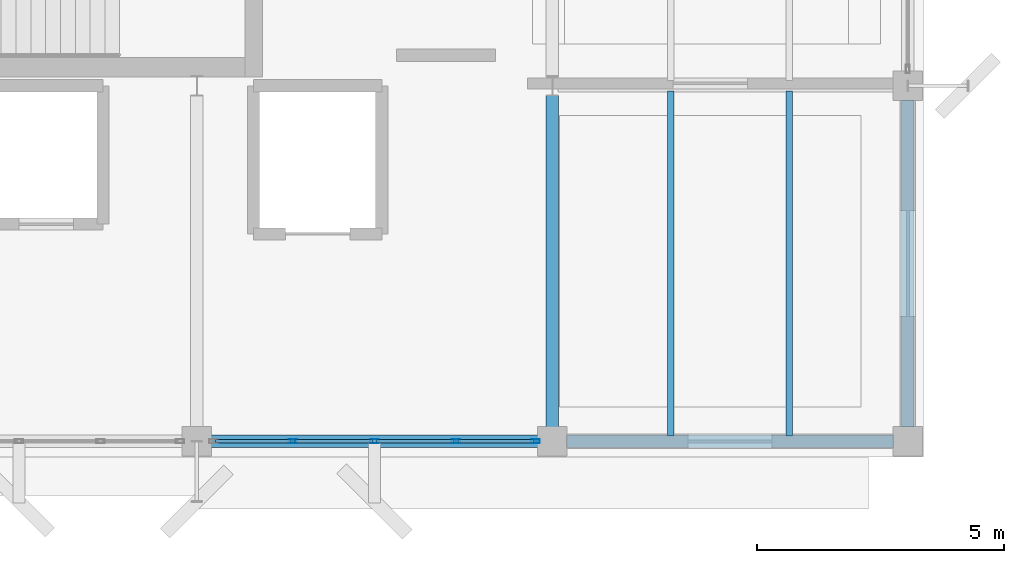
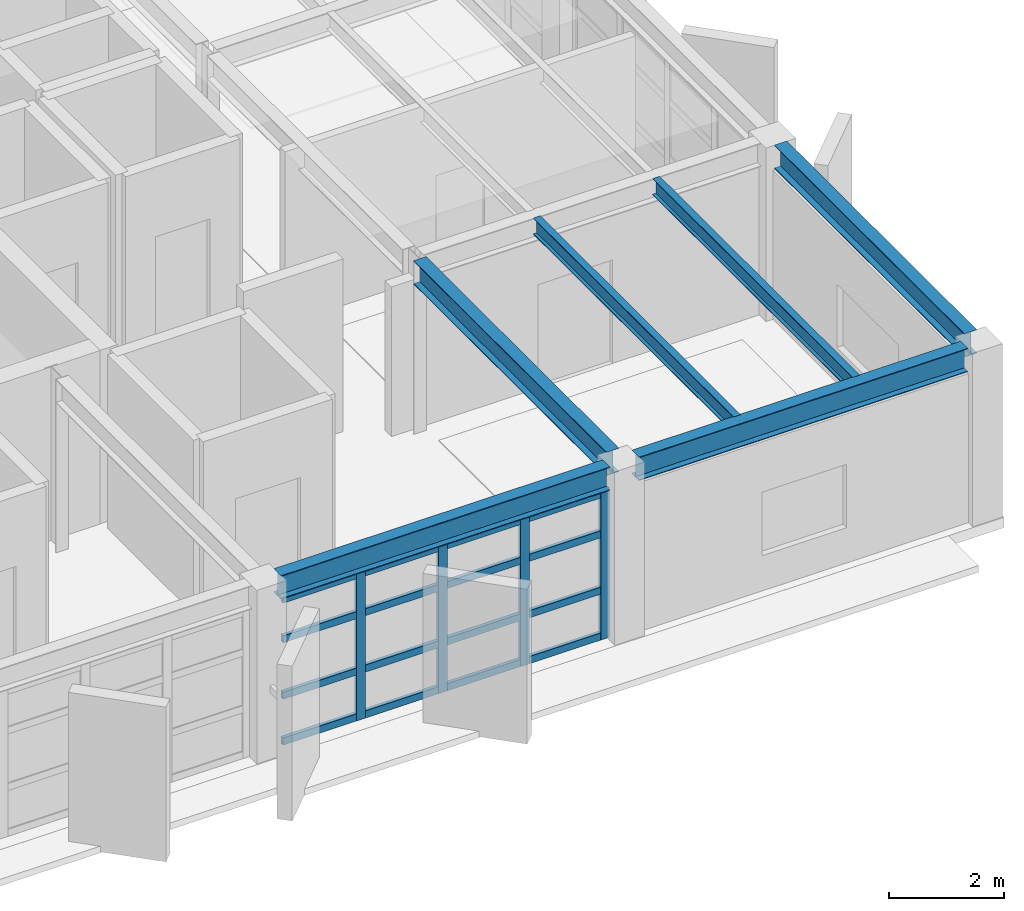
# One storey, part 5 of 16: 20 members, 6 beams, 1 element without a shape of its own.
"""IFC4 building model written with IfcOpenShell, lengths in metres."""

import ifcopenshell
import ifcopenshell.guid

model = None  # the IFC model being written
_history = None  # IfcOwnerHistory: only IFC2X3 demands one
_inside = {}  # id of a spatial element -> (the spatial element, [elements in it])
_under = {}  # id of a project, library or spatial element -> (it, [spatial elements below it])
_declared = {}  # id of a project -> (the project, [libraries it declares])
_typed = {}  # id of a type object -> (the type object, [elements of that type])
_made_of = {}  # id of a material, layer set ... -> (it, [elements and type objects made of it])


def new_model(schema):
    """Start an empty IFC model of exactly this schema.

    Asked for "IFC4X3", IfcOpenShell would pick the latest addendum, in which some entities
    have other attributes; the version numbers below select the first issue.
    IFC2X3 requires an IfcOwnerHistory on every rooted entity: one is made here for all.
    """
    global model, _history
    if schema == "IFC4X3":
        model = ifcopenshell.file(schema_version=(4, 3, 0, 0))
    else:
        model = ifcopenshell.file(schema=schema)
    _inside.clear()
    _under.clear()
    _declared.clear()
    _typed.clear()
    _made_of.clear()
    _history = None
    if model.schema == "IFC2X3":
        org = make("IfcOrganization", Name="unknown")
        user = make(
            "IfcPersonAndOrganization",
            ThePerson=make("IfcPerson", FamilyName="unknown"),
            TheOrganization=org,
        )
        app = make(
            "IfcApplication",
            ApplicationDeveloper=org,
            Version="unknown",
            ApplicationFullName="unknown",
            ApplicationIdentifier="unknown",
        )
        _history = make(
            "IfcOwnerHistory",
            OwningUser=user,
            OwningApplication=app,
            ChangeAction="ADDED",
            CreationDate=0,
        )
    return model


def make(cls, **values):
    """One entity of the class cls with the attributes given. An attribute that is None is left unset."""
    return model.create_entity(
        cls, **{name: value for name, value in values.items() if value is not None}
    )


def rooted(cls, **values):
    """An entity with a GlobalId (a new one), such as an element, a storey or a relation."""
    return make(cls, GlobalId=ifcopenshell.guid.new(), OwnerHistory=_history, **values)


def si_unit(unit_type, name, prefix=None):
    """IfcSIUnit, for example si_unit("LENGTHUNIT", "METRE", prefix="MILLI")."""
    return make("IfcSIUnit", UnitType=unit_type, Prefix=prefix, Name=name)


def assignment(units):
    """IfcUnitAssignment: the units of a project."""
    return None if units is None else make("IfcUnitAssignment", Units=units)


def point(xyz):
    """IfcCartesianPoint."""
    return None if xyz is None else make("IfcCartesianPoint", Coordinates=xyz)


def direction(xyz):
    """IfcDirection."""
    return None if xyz is None else make("IfcDirection", DirectionRatios=xyz)


def frame(location, z_axis=None, x_axis=None):
    """IfcAxis2Placement3D, a coordinate frame: its origin and axes. An axis left out is left unset."""
    return make(
        "IfcAxis2Placement3D",
        Location=point(location),
        Axis=direction(z_axis),
        RefDirection=direction(x_axis),
    )


def frame_2d(location, x_axis=None):
    """IfcAxis2Placement2D, a coordinate frame in the plane: its origin and x axis."""
    return make(
        "IfcAxis2Placement2D", Location=point(location), RefDirection=direction(x_axis)
    )


def origin():
    """The frame at (0, 0, 0) with its axes left unset."""
    return frame((0.0, 0.0, 0.0))


def origin_2d():
    """The frame at (0, 0) in the plane with its x axis left unset."""
    return frame_2d((0.0, 0.0))


def place(relative_to, where):
    """IfcLocalPlacement: puts the frame where relative to a parent placement (None: the world)."""
    return make(
        "IfcLocalPlacement", PlacementRelTo=relative_to, RelativePlacement=where
    )


def context(
    kind, dimensions, precision=None, world=None, true_north=None, identifier=None
):
    """IfcGeometricRepresentationContext, for example the 3D "Model" context."""
    return make(
        "IfcGeometricRepresentationContext",
        ContextIdentifier=identifier,
        ContextType=kind,
        CoordinateSpaceDimension=dimensions,
        Precision=precision,
        WorldCoordinateSystem=world,
        TrueNorth=true_north,
    )


def subcontext(parent, identifier, kind, view, scale=None):
    """IfcGeometricRepresentationSubContext, for example "Body" below "Model"."""
    return make(
        "IfcGeometricRepresentationSubContext",
        ContextIdentifier=identifier,
        ContextType=kind,
        ParentContext=parent,
        TargetScale=scale,
        TargetView=view,
    )


def project(units=None, contexts=None):
    """IfcProject with its units and contexts."""
    return rooted(
        "IfcProject",
        Name="project",
        RepresentationContexts=contexts,
        UnitsInContext=assignment(units),
    )


def spatial(cls, under=None, at=None, **own):
    """A site, building, storey or space (cls), placed at a placement, below another one or the project."""
    s = rooted(cls, ObjectPlacement=at, **own)
    if under is not None:
        _under.setdefault(under.id(), (under, []))[1].append(s)
    return s


def profile(cls, at=None, kind="AREA", **sizes):
    """A parametric profile (cls). Its sizes go by their IFC names, for example OverallWidth=200.0."""
    return make(cls, ProfileType=kind, Position=at, **sizes)


def hollow_rectangle(**sizes):
    """IfcRectangleHollowProfileDef."""
    return profile("IfcRectangleHollowProfileDef", **sizes)


def i_section(**sizes):
    """IfcIShapeProfileDef."""
    return profile("IfcIShapeProfileDef", **sizes)


def extrude(swept, where, along, depth):
    """IfcExtrudedAreaSolid: the profile swept, set in the frame where, extruded along a direction by depth."""
    return make(
        "IfcExtrudedAreaSolid",
        SweptArea=swept,
        Position=where,
        ExtrudedDirection=direction(along),
        Depth=depth,
    )


def shape(context_of_items, identifier, shape_type, items):
    """IfcShapeRepresentation: the items that make up one representation, for example the "Body"."""
    return make(
        "IfcShapeRepresentation",
        ContextOfItems=context_of_items,
        RepresentationIdentifier=identifier,
        RepresentationType=shape_type,
        Items=items,
    )


def material(Name=None, Category=None):
    """IfcMaterial."""
    return make("IfcMaterial", Name=Name, Category=Category)


def layer(
    of_material, thickness, ventilated=None, Name=None, Category=None, Priority=None
):
    """IfcMaterialLayer: one layer of a wall or slab, of a material (None: an air gap)."""
    return make(
        "IfcMaterialLayer",
        Material=of_material,
        LayerThickness=thickness,
        IsVentilated=ventilated,
        Name=Name,
        Category=Category,
        Priority=Priority,
    )


def layer_set(layers, Name=None):
    """IfcMaterialLayerSet."""
    return make("IfcMaterialLayerSet", MaterialLayers=layers, LayerSetName=Name)


def material_profile(
    of_material, cross_section, Name=None, Category=None, Priority=None
):
    """IfcMaterialProfile: a cross section and its material."""
    return make(
        "IfcMaterialProfile",
        Name=Name,
        Material=of_material,
        Profile=cross_section,
        Priority=Priority,
        Category=Category,
    )


def profile_set(profiles, Name=None, composite=None):
    """IfcMaterialProfileSet."""
    return make(
        "IfcMaterialProfileSet",
        Name=Name,
        MaterialProfiles=profiles,
        CompositeProfile=composite,
    )


def made_of(thing, what):
    """Note that an element or type object is made of a material, layer set ...; save() writes the relation."""
    if what is not None:
        _made_of.setdefault(what.id(), (what, []))[1].append(thing)
    return thing


def type_object(cls, material=None, **own):
    """A type object (cls), such as IfcWallType, which elements share."""
    return made_of(rooted(cls, **own), material)


def element(
    cls,
    number,
    at=None,
    inside=None,
    cuts=None,
    type_object=None,
    material=None,
    context=None,
    identifier="Body",
    shape_type=None,
    held_by="IfcProductDefinitionShape",
    body=None,
    shapes=None,
    **own,
):
    """One element of the class cls, such as IfcWall. Its Tag is "e" and its number.

    at: its placement. inside: the storey or other place that contains it. cuts: it is an
    opening in that element (IfcRelVoidsElement). A single representation is given by context,
    identifier, shape_type and body (its items); several are given by shapes. held_by: the class
    of the entity that holds the representations. save() writes the other relations.
    """
    e = rooted(cls, Tag="e%d" % number, ObjectPlacement=at, **own)
    if body is not None:
        shapes = [shape(context, identifier, shape_type, body)]
    if shapes is not None:
        e.Representation = make(held_by, Representations=shapes)
    if inside is not None:
        _inside.setdefault(inside.id(), (inside, []))[1].append(e)
    if cuts is not None:
        rooted(
            "IfcRelVoidsElement", RelatingBuildingElement=cuts, RelatedOpeningElement=e
        )
    if type_object is not None:
        _typed.setdefault(type_object.id(), (type_object, []))[1].append(e)
    return made_of(e, material)


def aggregate(whole, parts):
    """IfcRelAggregates: a whole, such as a stair, and the parts it consists of."""
    return rooted("IfcRelAggregates", RelatingObject=whole, RelatedObjects=parts)


def save(model, path):
    """Write the relations noted so far, then the file.

    IfcRelAggregates (storeys below a building ...), IfcRelContainedInSpatialStructure (elements
    in a storey), IfcRelDefinesByType, IfcRelAssociatesMaterial and IfcRelDeclares: one each for
    every whole, place, type object, material and project.
    """
    for whole, parts in _under.values():
        aggregate(whole, parts)
    for where, things in _inside.values():
        rooted(
            "IfcRelContainedInSpatialStructure",
            RelatedElements=things,
            RelatingStructure=where,
        )
    for kind, things in _typed.values():
        rooted("IfcRelDefinesByType", RelatedObjects=things, RelatingType=kind)
    for what, things in _made_of.values():
        rooted("IfcRelAssociatesMaterial", RelatedObjects=things, RelatingMaterial=what)
    for by, libraries in _declared.values():
        rooted("IfcRelDeclares", RelatingContext=by, RelatedDefinitions=libraries)
    model.write(path)


model = new_model("IFC4")

# Units and contexts
model_context = context("Model", 3, precision=1e-05, world=origin(), true_north=direction((0.0, 1.0)))
body_context = subcontext(model_context, "Body", "Model", "MODEL_VIEW")
ifc_project = project(units=[si_unit("LENGTHUNIT", "METRE"), si_unit("AREAUNIT", "SQUARE_METRE"), si_unit("VOLUMEUNIT", "CUBIC_METRE"), si_unit("PLANEANGLEUNIT", "RADIAN"), si_unit("MASSUNIT", "GRAM", prefix="KILO")], contexts=[model_context])

# Site, building, storey
site_placement = place(None, origin())
site = spatial("IfcSite", under=ifc_project, at=site_placement, CompositionType="ELEMENT")
building_placement = place(site_placement, origin())
building = spatial("IfcBuilding", under=site, at=building_placement, Name="Kandorven Conservatory and Botanical Research Centre", CompositionType="ELEMENT")
storey_placement = place(building_placement, frame((0.0, 0.0, 44.39990234375)))
storey = spatial("IfcBuildingStorey", under=building, at=storey_placement, Name="L11", CompositionType="ELEMENT", Elevation=44.39990234375)

# Beams
ifc_material_1 = material(Name="Steel S355 (IS 2062 E350)", Category="steel")
ifc_material_profile_1 = material_profile(ifc_material_1, i_section(OverallWidth=0.25, OverallDepth=0.5, WebThickness=0.010009765625, FlangeThickness=0.0146484375, at=origin_2d()))
ifc_profile_set_1 = profile_set([ifc_material_profile_1], Name="Steel S355 (IS 2062 E350)")
beam_type_1 = type_object("IfcBeamType", Name="Beam_FG-02", PredefinedType="USERDEFINED", material=ifc_profile_set_1)
for number, where, z_axis, x_axis, name in (
    (1, (20.68994140625, 6.0, 3.440185546875), (1.0, 0.0, 0.0), (0.0, 1.0, 0.0), "Primary girder FG-02 TWR L11"),
    (2, (27.889892578125, 6.0, 3.440185546875), (1.0, 0.0, 0.0), (0.0, 1.0, 0.0), "Primary girder FG-02 TWR L11"),
):
    element("IfcBeam", number, at=place(storey_placement, frame(where, z_axis=z_axis, x_axis=x_axis)), inside=storey, type_object=beam_type_1, Name=name, ObjectType="GIRDER", PredefinedType="USERDEFINED", context=body_context, shape_type="SweptSolid", body=[
        extrude(i_section(OverallWidth=0.25, OverallDepth=0.5, WebThickness=0.010009765625, FlangeThickness=0.0146484375, at=origin_2d()), origin(), (0.0, 0.0, 1.0), 6.6201171875),
    ])
beam_1_placement = place(storey_placement, frame((27.60009765625, 6.2900390625, 3.440185546875), z_axis=(0.0, 1.0, 0.0), x_axis=(-1.0, 0.0, 0.0)))
element("IfcBeam", 3, at=beam_1_placement, inside=storey, type_object=beam_type_1, Name="Primary girder FG-02 TWR L11", ObjectType="GIRDER", PredefinedType="USERDEFINED", context=body_context, shape_type="SweptSolid", body=[
    extrude(i_section(OverallWidth=0.25, OverallDepth=0.5, WebThickness=0.010009765625, FlangeThickness=0.0146484375, at=origin_2d()), origin(), (0.0, 0.0, 1.0), 6.719970703125),
])
beam_2_placement = place(storey_placement, frame((34.800048828125, 6.2900390625, 3.440185546875), z_axis=(0.0, 1.0, 0.0), x_axis=(-1.0, 0.0, 0.0)))
element("IfcBeam", 4, at=beam_2_placement, inside=storey, type_object=beam_type_1, Name="Primary girder FG-02 TWR L11", ObjectType="GIRDER", PredefinedType="USERDEFINED", context=body_context, shape_type="SweptSolid", body=[
    extrude(i_section(OverallWidth=0.25, OverallDepth=0.5, WebThickness=0.010009765625, FlangeThickness=0.0146484375, at=origin_2d()), origin(), (0.0, 0.0, 1.0), 6.619873046875),
])
ifc_material_2 = material(Name="Steel S355 (IS 2062 E350)", Category="steel")
ifc_material_profile_2 = material_profile(ifc_material_2, i_section(OverallWidth=0.139892578125, OverallDepth=0.35009765625, WebThickness=0.008056640625, FlangeThickness=0.01416015625, at=origin_2d()))
ifc_profile_set_2 = profile_set([ifc_material_profile_2], Name="Steel S355 (IS 2062 E350)")
beam_type_2 = type_object("IfcBeamType", Name="Beam_SB-06", PredefinedType="BEAM", material=ifc_profile_set_2)
for number, where, z_axis, x_axis, name in (
    (5, (30.0, 6.110107421875, 3.51513671875), (0.0, 1.0, 0.0), (-1.0, 0.0, 0.0), "Composite secondary beam SB-06 TWR L11"),
    (6, (32.39990234375, 6.110107421875, 3.51513671875), (0.0, 1.0, 0.0), (-1.0, 0.0, 0.0), "Composite secondary beam SB-06 TWR L11"),
):
    element("IfcBeam", number, at=place(storey_placement, frame(where, z_axis=z_axis, x_axis=x_axis)), inside=storey, type_object=beam_type_2, Name=name, PredefinedType="BEAM", context=body_context, shape_type="SweptSolid", body=[
        extrude(i_section(OverallWidth=0.139892578125, OverallDepth=0.35009765625, WebThickness=0.008056640625, FlangeThickness=0.01416015625, at=origin_2d()), origin(), (0.0, 0.0, 1.0), 6.97998046875),
    ])

# Curtain wall, members
ifc_material_3 = material(Name="Bronze anodised thermally broken aluminium", Category="aluminium")
ifc_layer = layer(ifc_material_3, 0.179931640625)
ifc_layer_set = layer_set([ifc_layer], Name="Bronze anodised thermally broken aluminium")
curtain_wall_type = type_object("IfcCurtainWallType", Name="CW_Unitised", PredefinedType="USERDEFINED", material=ifc_layer_set)
curtain_wall_placement = place(storey_placement, origin())
curtain_wall = element("IfcCurtainWall", 7, at=curtain_wall_placement, inside=storey, type_object=curtain_wall_type, Name="Tower laboratory curtain wall CW-TWR-S-L11-3", ObjectType="UNITISED GLAZING", PredefinedType="USERDEFINED")
ifc_material_4 = material(Name="Bronze anodised thermally broken aluminium", Category="aluminium")
ifc_material_profile_3 = material_profile(ifc_material_4, hollow_rectangle(XDim=0.080078125, YDim=0.179931640625, WallThickness=0.006103515625, at=origin_2d()))
ifc_profile_set_3 = profile_set([ifc_material_profile_3], Name="Bronze anodised thermally broken aluminium")
member_type_1 = type_object("IfcMemberType", Name="CW_Mullion", PredefinedType="MULLION", material=ifc_profile_set_3)
member_1_placement = place(storey_placement, frame((22.35009765625, 6.0, 0.0), z_axis=(0.0, 0.0, 1.0), x_axis=(0.0, 1.0, 0.0)))
member_1 = element("IfcMember", 8, at=member_1_placement, type_object=member_type_1, Name="CW-01 mullion 2", PredefinedType="MULLION", context=body_context, shape_type="SweptSolid", body=[
    extrude(hollow_rectangle(XDim=0.080078125, YDim=0.179931640625, WallThickness=0.006103515625, at=origin_2d()), origin(), (0.0, 0.0, 1.0), 3.170166015625),
])
member_2_placement = place(storey_placement, frame((24.0, 6.0, 0.0), z_axis=(0.0, 0.0, 1.0), x_axis=(0.0, 1.0, 0.0)))
member_2 = element("IfcMember", 9, at=member_2_placement, type_object=member_type_1, Name="CW-01 mullion 3", PredefinedType="MULLION", context=body_context, shape_type="SweptSolid", body=[
    extrude(hollow_rectangle(XDim=0.080078125, YDim=0.179931640625, WallThickness=0.006103515625, at=origin_2d()), origin(), (0.0, 0.0, 1.0), 3.170166015625),
])
member_3_placement = place(storey_placement, frame((25.64990234375, 6.0, 0.0), z_axis=(0.0, 0.0, 1.0), x_axis=(0.0, 1.0, 0.0)))
member_3 = element("IfcMember", 10, at=member_3_placement, type_object=member_type_1, Name="CW-01 mullion 4", PredefinedType="MULLION", context=body_context, shape_type="SweptSolid", body=[
    extrude(hollow_rectangle(XDim=0.080078125, YDim=0.179931640625, WallThickness=0.006103515625, at=origin_2d()), origin(), (0.0, 0.0, 1.0), 3.170166015625),
])
member_4_placement = place(storey_placement, frame((27.260009765625, 6.0, 0.0), z_axis=(0.0, 0.0, 1.0), x_axis=(0.0, 1.0, 0.0)))
member_4 = element("IfcMember", 11, at=member_4_placement, type_object=member_type_1, Name="CW-01 mullion 5", PredefinedType="MULLION", context=body_context, shape_type="SweptSolid", body=[
    extrude(hollow_rectangle(XDim=0.080078125, YDim=0.179931640625, WallThickness=0.006103515625, at=origin_2d()), origin(), (0.0, 0.0, 1.0), 3.170166015625),
])
ifc_material_5 = material(Name="Bronze anodised thermally broken aluminium", Category="aluminium")
ifc_material_profile_4 = material_profile(ifc_material_5, hollow_rectangle(XDim=0.074951171875, YDim=0.14990234375, WallThickness=0.006103515625, at=origin_2d()))
ifc_profile_set_4 = profile_set([ifc_material_profile_4], Name="Bronze anodised thermally broken aluminium")
member_type_2 = type_object("IfcMemberType", Name="CW_Transom", PredefinedType="USERDEFINED", material=ifc_profile_set_4)
member_5_placement = place(storey_placement, frame((20.780029296875, 6.0, 0.0751953125), z_axis=(1.0, 0.0, 0.0), x_axis=(0.0, 1.0, 0.0)))
member_5 = element("IfcMember", 12, at=member_5_placement, type_object=member_type_2, Name="CW-01 transom 1.1", ObjectType="TRANSOM", PredefinedType="USERDEFINED", context=body_context, shape_type="SweptSolid", body=[
    extrude(hollow_rectangle(XDim=0.074951171875, YDim=0.14990234375, WallThickness=0.006103515625, at=origin_2d()), origin(), (0.0, 0.0, 1.0), 1.530029296875),
])
member_6_placement = place(storey_placement, frame((20.780029296875, 6.0, 1.050048828125), z_axis=(1.0, 0.0, 0.0), x_axis=(0.0, 1.0, 0.0)))
member_6 = element("IfcMember", 13, at=member_6_placement, type_object=member_type_2, Name="CW-01 transom 1.2", ObjectType="TRANSOM", PredefinedType="USERDEFINED", context=body_context, shape_type="SweptSolid", body=[
    extrude(hollow_rectangle(XDim=0.074951171875, YDim=0.14990234375, WallThickness=0.006103515625, at=origin_2d()), origin(), (0.0, 0.0, 1.0), 1.530029296875),
])
member_7_placement = place(storey_placement, frame((20.780029296875, 6.0, 2.25), z_axis=(1.0, 0.0, 0.0), x_axis=(0.0, 1.0, 0.0)))
member_7 = element("IfcMember", 14, at=member_7_placement, type_object=member_type_2, Name="CW-01 transom 1.3", ObjectType="TRANSOM", PredefinedType="USERDEFINED", context=body_context, shape_type="SweptSolid", body=[
    extrude(hollow_rectangle(XDim=0.074951171875, YDim=0.14990234375, WallThickness=0.006103515625, at=origin_2d()), origin(), (0.0, 0.0, 1.0), 1.530029296875),
])
member_8_placement = place(storey_placement, frame((20.780029296875, 6.0, 3.09521484375), z_axis=(1.0, 0.0, 0.0), x_axis=(0.0, 1.0, 0.0)))
member_8 = element("IfcMember", 15, at=member_8_placement, type_object=member_type_2, Name="CW-01 transom 1.4", ObjectType="TRANSOM", PredefinedType="USERDEFINED", context=body_context, shape_type="SweptSolid", body=[
    extrude(hollow_rectangle(XDim=0.074951171875, YDim=0.14990234375, WallThickness=0.006103515625, at=origin_2d()), origin(), (0.0, 0.0, 1.0), 1.530029296875),
])
member_9_placement = place(storey_placement, frame((22.389892578125, 6.0, 0.0751953125), z_axis=(1.0, 0.0, 0.0), x_axis=(0.0, 1.0, 0.0)))
member_9 = element("IfcMember", 16, at=member_9_placement, type_object=member_type_2, Name="CW-01 transom 2.1", ObjectType="TRANSOM", PredefinedType="USERDEFINED", context=body_context, shape_type="SweptSolid", body=[
    extrude(hollow_rectangle(XDim=0.074951171875, YDim=0.14990234375, WallThickness=0.006103515625, at=origin_2d()), origin(), (0.0, 0.0, 1.0), 1.570068359375),
])
member_10_placement = place(storey_placement, frame((22.389892578125, 6.0, 1.050048828125), z_axis=(1.0, 0.0, 0.0), x_axis=(0.0, 1.0, 0.0)))
member_10 = element("IfcMember", 17, at=member_10_placement, type_object=member_type_2, Name="CW-01 transom 2.2", ObjectType="TRANSOM", PredefinedType="USERDEFINED", context=body_context, shape_type="SweptSolid", body=[
    extrude(hollow_rectangle(XDim=0.074951171875, YDim=0.14990234375, WallThickness=0.006103515625, at=origin_2d()), origin(), (0.0, 0.0, 1.0), 1.570068359375),
])
member_11_placement = place(storey_placement, frame((22.389892578125, 6.0, 2.25), z_axis=(1.0, 0.0, 0.0), x_axis=(0.0, 1.0, 0.0)))
member_11 = element("IfcMember", 18, at=member_11_placement, type_object=member_type_2, Name="CW-01 transom 2.3", ObjectType="TRANSOM", PredefinedType="USERDEFINED", context=body_context, shape_type="SweptSolid", body=[
    extrude(hollow_rectangle(XDim=0.074951171875, YDim=0.14990234375, WallThickness=0.006103515625, at=origin_2d()), origin(), (0.0, 0.0, 1.0), 1.570068359375),
])
member_12_placement = place(storey_placement, frame((22.389892578125, 6.0, 3.09521484375), z_axis=(1.0, 0.0, 0.0), x_axis=(0.0, 1.0, 0.0)))
member_12 = element("IfcMember", 19, at=member_12_placement, type_object=member_type_2, Name="CW-01 transom 2.4", ObjectType="TRANSOM", PredefinedType="USERDEFINED", context=body_context, shape_type="SweptSolid", body=[
    extrude(hollow_rectangle(XDim=0.074951171875, YDim=0.14990234375, WallThickness=0.006103515625, at=origin_2d()), origin(), (0.0, 0.0, 1.0), 1.570068359375),
])
member_13_placement = place(storey_placement, frame((24.0400390625, 6.0, 0.0751953125), z_axis=(1.0, 0.0, 0.0), x_axis=(0.0, 1.0, 0.0)))
member_13 = element("IfcMember", 20, at=member_13_placement, type_object=member_type_2, Name="CW-01 transom 3.1", ObjectType="TRANSOM", PredefinedType="USERDEFINED", context=body_context, shape_type="SweptSolid", body=[
    extrude(hollow_rectangle(XDim=0.074951171875, YDim=0.14990234375, WallThickness=0.006103515625, at=origin_2d()), origin(), (0.0, 0.0, 1.0), 1.570068359375),
])
member_14_placement = place(storey_placement, frame((24.0400390625, 6.0, 1.050048828125), z_axis=(1.0, 0.0, 0.0), x_axis=(0.0, 1.0, 0.0)))
member_14 = element("IfcMember", 21, at=member_14_placement, type_object=member_type_2, Name="CW-01 transom 3.2", ObjectType="TRANSOM", PredefinedType="USERDEFINED", context=body_context, shape_type="SweptSolid", body=[
    extrude(hollow_rectangle(XDim=0.074951171875, YDim=0.14990234375, WallThickness=0.006103515625, at=origin_2d()), origin(), (0.0, 0.0, 1.0), 1.570068359375),
])
member_15_placement = place(storey_placement, frame((24.0400390625, 6.0, 2.25), z_axis=(1.0, 0.0, 0.0), x_axis=(0.0, 1.0, 0.0)))
member_15 = element("IfcMember", 22, at=member_15_placement, type_object=member_type_2, Name="CW-01 transom 3.3", ObjectType="TRANSOM", PredefinedType="USERDEFINED", context=body_context, shape_type="SweptSolid", body=[
    extrude(hollow_rectangle(XDim=0.074951171875, YDim=0.14990234375, WallThickness=0.006103515625, at=origin_2d()), origin(), (0.0, 0.0, 1.0), 1.570068359375),
])
member_16_placement = place(storey_placement, frame((24.0400390625, 6.0, 3.09521484375), z_axis=(1.0, 0.0, 0.0), x_axis=(0.0, 1.0, 0.0)))
member_16 = element("IfcMember", 23, at=member_16_placement, type_object=member_type_2, Name="CW-01 transom 3.4", ObjectType="TRANSOM", PredefinedType="USERDEFINED", context=body_context, shape_type="SweptSolid", body=[
    extrude(hollow_rectangle(XDim=0.074951171875, YDim=0.14990234375, WallThickness=0.006103515625, at=origin_2d()), origin(), (0.0, 0.0, 1.0), 1.570068359375),
])
member_17_placement = place(storey_placement, frame((25.68994140625, 6.0, 0.0751953125), z_axis=(1.0, 0.0, 0.0), x_axis=(0.0, 1.0, 0.0)))
member_17 = element("IfcMember", 24, at=member_17_placement, type_object=member_type_2, Name="CW-01 transom 4.1", ObjectType="TRANSOM", PredefinedType="USERDEFINED", context=body_context, shape_type="SweptSolid", body=[
    extrude(hollow_rectangle(XDim=0.074951171875, YDim=0.14990234375, WallThickness=0.006103515625, at=origin_2d()), origin(), (0.0, 0.0, 1.0), 1.530029296875),
])
member_18_placement = place(storey_placement, frame((25.68994140625, 6.0, 1.050048828125), z_axis=(1.0, 0.0, 0.0), x_axis=(0.0, 1.0, 0.0)))
member_18 = element("IfcMember", 25, at=member_18_placement, type_object=member_type_2, Name="CW-01 transom 4.2", ObjectType="TRANSOM", PredefinedType="USERDEFINED", context=body_context, shape_type="SweptSolid", body=[
    extrude(hollow_rectangle(XDim=0.074951171875, YDim=0.14990234375, WallThickness=0.006103515625, at=origin_2d()), origin(), (0.0, 0.0, 1.0), 1.530029296875),
])
member_19_placement = place(storey_placement, frame((25.68994140625, 6.0, 2.25), z_axis=(1.0, 0.0, 0.0), x_axis=(0.0, 1.0, 0.0)))
member_19 = element("IfcMember", 26, at=member_19_placement, type_object=member_type_2, Name="CW-01 transom 4.3", ObjectType="TRANSOM", PredefinedType="USERDEFINED", context=body_context, shape_type="SweptSolid", body=[
    extrude(hollow_rectangle(XDim=0.074951171875, YDim=0.14990234375, WallThickness=0.006103515625, at=origin_2d()), origin(), (0.0, 0.0, 1.0), 1.530029296875),
])
member_20_placement = place(storey_placement, frame((25.68994140625, 6.0, 3.09521484375), z_axis=(1.0, 0.0, 0.0), x_axis=(0.0, 1.0, 0.0)))
member_20 = element("IfcMember", 27, at=member_20_placement, type_object=member_type_2, Name="CW-01 transom 4.4", ObjectType="TRANSOM", PredefinedType="USERDEFINED", context=body_context, shape_type="SweptSolid", body=[
    extrude(hollow_rectangle(XDim=0.074951171875, YDim=0.14990234375, WallThickness=0.006103515625, at=origin_2d()), origin(), (0.0, 0.0, 1.0), 1.530029296875),
])
aggregate(curtain_wall, [member_1, member_2, member_3, member_4, member_5, member_6, member_7, member_8, member_9, member_10, member_11, member_12, member_13, member_14, member_15, member_16, member_17, member_18, member_19, member_20])

save(model, "model.ifc")
